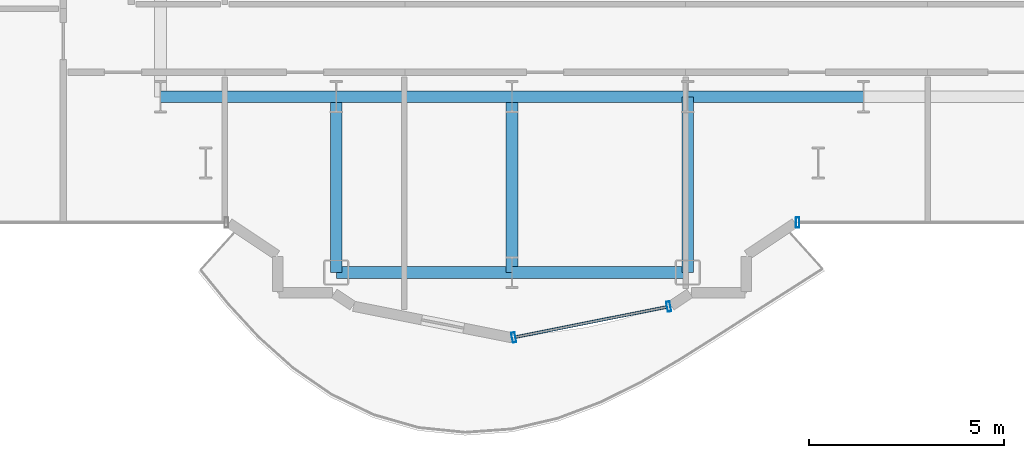
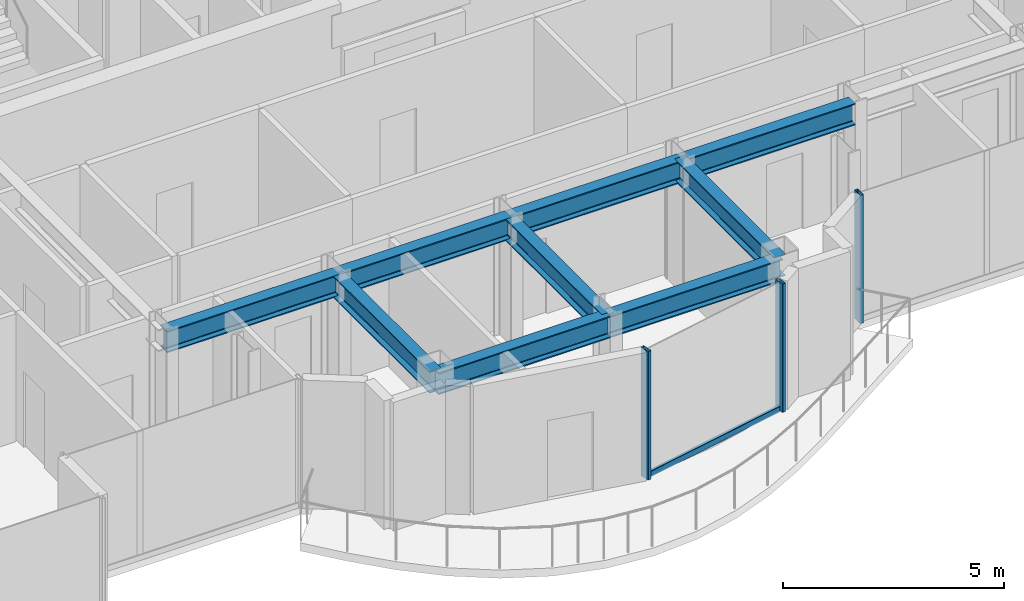
# One storey, part 3 of 21: 9 beams, 4 members, 2 elements without a shape of their own.
"""IFC4 building model written with IfcOpenShell, lengths in metres."""

from ifc_helpers import new_model, si_unit, direction, frame, origin, origin_2d, place, context, subcontext, project, spatial, hollow_rectangle, i_section, extrude, source, transform, mapped, material, layer, layer_set, material_profile, profile_set, type_object, element, aggregate, save


model = new_model("IFC4")

# Units and contexts
model_context = context("Model", 3, precision=1e-05, world=origin(), true_north=direction((0.0, 1.0)))
body_context = subcontext(model_context, "Body", "Model", "MODEL_VIEW")
ifc_project = project(units=[si_unit("LENGTHUNIT", "METRE"), si_unit("AREAUNIT", "SQUARE_METRE"), si_unit("VOLUMEUNIT", "CUBIC_METRE"), si_unit("PLANEANGLEUNIT", "RADIAN"), si_unit("MASSUNIT", "GRAM", prefix="KILO")], contexts=[model_context])

# Site, building, storey
site_placement = place(None, origin())
site = spatial("IfcSite", under=ifc_project, at=site_placement, CompositionType="ELEMENT")
building_placement = place(site_placement, origin())
building = spatial("IfcBuilding", under=site, at=building_placement, Name="Nefas-Gora Pilgrimage Tower", CompositionType="ELEMENT")
storey_placement = place(building_placement, frame((0.0, 0.0, 233.199951171875)))
storey = spatial("IfcBuildingStorey", under=building, at=storey_placement, Name="L58", CompositionType="ELEMENT", Elevation=233.199951171875)

# Beams
ifc_material_1 = material(Name="Steel S355", Category="steel")
ifc_material_profile_1 = material_profile(ifc_material_1, i_section(OverallWidth=0.300048828125, OverallDepth=0.60009765625, WebThickness=0.015380859375, FlangeThickness=0.030029296875, FilletRadius=0.027099609375, at=origin_2d()), Name="HEB 600")
ifc_profile_set_1 = profile_set([ifc_material_profile_1], Name="Steel S355")
beam_type = type_object("IfcBeamType", Name="BM-GIR-HEB600", PredefinedType="BEAM", material=ifc_profile_set_1)
shared_shape_1 = source(origin(), body_context, "Body", "SweptSolid", [
    extrude(i_section(OverallWidth=0.300048828125, OverallDepth=0.60009765625, WebThickness=0.015380859375, FlangeThickness=0.030029296875, FilletRadius=0.027099609375, at=origin_2d()), origin(), (0.0, 0.0, 1.0), 4.5),
])
for number, where, z_axis, x_axis, name in (
    (1, (-11.25, -18.0, 3.25), (1.0, 0.0, 0.0), (0.0, 1.0, 0.0), "L58 G-04 beam"),
    (2, (-6.75, -22.5, 3.25), (0.0, 1.0, 0.0), (-1.0, 0.0, 0.0), "L58 G-04 beam"),
    (3, (-6.75, -22.5, 3.25), (1.0, 0.0, 0.0), (0.0, 1.0, 0.0), "L58 G-04 beam"),
    (4, (-6.75, -18.0, 3.25), (1.0, 0.0, 0.0), (0.0, 1.0, 0.0), "L58 G-04 beam"),
    (5, (-2.25, -22.5, 3.25), (0.0, 1.0, 0.0), (-1.0, 0.0, 0.0), "L58 G-04 beam"),
    (6, (-2.25, -22.5, 3.25), (1.0, 0.0, 0.0), (0.0, 1.0, 0.0), "L58 G-04 beam"),
    (7, (-2.25, -18.0, 3.25), (1.0, 0.0, 0.0), (0.0, 1.0, 0.0), "L58 G-04 beam"),
    (8, (2.25, -22.5, 3.25), (0.0, 1.0, 0.0), (-1.0, 0.0, 0.0), "L58 G-04 beam"),
    (9, (2.25, -18.0, 3.25), (1.0, 0.0, 0.0), (0.0, 1.0, 0.0), "L58 G-04 beam"),
):
    element("IfcBeam", number, at=place(storey_placement, frame(where, z_axis=z_axis, x_axis=x_axis)), inside=storey, type_object=beam_type, Name=name, PredefinedType="BEAM", context=body_context, shape_type="MappedRepresentation", body=[
        mapped(shared_shape_1, transform((0.0, 0.0, 0.0), x_axis=(1.0, 0.0, 0.0), y_axis=(0.0, 1.0, 0.0), z_axis=(0.0, 0.0, 1.0), scale=1.0)),
    ])

# Curtain wall, member
ifc_material_2 = material(Name="Dark ceramic-fritted solar-control aluminium-glass curtain wall", Category="aluminium")
ifc_layer = layer(ifc_material_2, 0.219970703125)
ifc_layer_set = layer_set([ifc_layer], Name="Dark ceramic-fritted solar-control aluminium-glass curtain wall")
curtain_wall_type = type_object("IfcCurtainWallType", Name="CW-SYS-5", PredefinedType="NOTDEFINED", material=ifc_layer_set)
curtain_wall_1_placement = place(storey_placement, origin())
curtain_wall_1 = element("IfcCurtainWall", 10, at=curtain_wall_1_placement, inside=storey, type_object=curtain_wall_type, Name="L58 Unitised Curtain Wall CW5", PredefinedType="NOTDEFINED")
ifc_material_3 = material(Name="Anodised architectural aluminium", Category="aluminium")
ifc_material_profile_2 = material_profile(ifc_material_3, hollow_rectangle(XDim=0.090087890625, YDim=0.260009765625, WallThickness=0.006103515625, InnerFilletRadius=0.006103515625, OuterFilletRadius=0.011962890625, at=origin_2d()), Name="ALU MULLION 90x260")
ifc_profile_set_2 = profile_set([ifc_material_profile_2], Name="Anodised architectural aluminium")
member_type_1 = type_object("IfcMemberType", Name="CWM-MUL-5", PredefinedType="MULLION", material=ifc_profile_set_2)
shared_shape_2 = source(origin(), body_context, "Body", "SweptSolid", [
    extrude(hollow_rectangle(XDim=0.090087890625, YDim=0.260009765625, WallThickness=0.006103515625, InnerFilletRadius=0.006103515625, OuterFilletRadius=0.011962890625, at=origin_2d()), origin(), (0.0, 0.0, 1.0), 3.550048828125),
])
member_1_placement = place(storey_placement, frame((5.06298828125, -21.219970703125, 0.0), z_axis=(0.0, 0.0, 1.0), x_axis=(1.0, 0.0, 0.0)))
member_1 = element("IfcMember", 11, at=member_1_placement, type_object=member_type_1, Name="CW5 Mullion 1", PredefinedType="MULLION", context=body_context, shape_type="MappedRepresentation", body=[
    mapped(shared_shape_2, transform((0.0, 0.0, 0.0), x_axis=(1.0, 0.0, 0.0), y_axis=(0.0, 1.0, 0.0), z_axis=(0.0, 0.0, 1.0), scale=1.0)),
])
aggregate(curtain_wall_1, [member_1])

# Curtain wall, members
curtain_wall_2_placement = place(storey_placement, origin())
curtain_wall_2 = element("IfcCurtainWall", 12, at=curtain_wall_2_placement, inside=storey, type_object=curtain_wall_type, Name="L58 Unitised Curtain Wall CW5", PredefinedType="NOTDEFINED")
member_2_placement = place(storey_placement, frame((-2.205810546875, -24.16357421875, 0.0), z_axis=(0.0, 0.0, 1.0), x_axis=(0.980782896852, 0.195102304554, 0.0)))
member_2 = element("IfcMember", 13, at=member_2_placement, type_object=member_type_1, Name="CW5 Mullion 1", PredefinedType="MULLION", context=body_context, shape_type="MappedRepresentation", body=[
    mapped(shared_shape_2, transform((0.0, 0.0, 0.0), x_axis=(1.0, 0.0, 0.0), y_axis=(0.0, 1.0, 0.0), z_axis=(0.0, 0.0, 1.0), scale=1.0)),
])
member_3_placement = place(storey_placement, frame((1.76318359375, -23.3740234375, 0.0), z_axis=(0.0, 0.0, 1.0), x_axis=(0.980782896852, 0.195102304554, 0.0)))
member_3 = element("IfcMember", 14, at=member_3_placement, type_object=member_type_1, Name="CW5 Mullion 2", PredefinedType="MULLION", context=body_context, shape_type="MappedRepresentation", body=[
    mapped(shared_shape_2, transform((0.0, 0.0, 0.0), x_axis=(1.0, 0.0, 0.0), y_axis=(0.0, 1.0, 0.0), z_axis=(0.0, 0.0, 1.0), scale=1.0)),
])
ifc_material_profile_3 = material_profile(ifc_material_3, hollow_rectangle(XDim=0.080078125, YDim=0.159912109375, WallThickness=0.00439453125, InnerFilletRadius=0.00439453125, OuterFilletRadius=0.009033203125, at=origin_2d()), Name="ALU TRANSOM 80x160")
ifc_profile_set_3 = profile_set([ifc_material_profile_3], Name="Anodised architectural aluminium")
member_type_2 = type_object("IfcMemberType", Name="CWM-TRN-5", PredefinedType="USERDEFINED", material=ifc_profile_set_3)
shared_shape_3 = source(origin(), body_context, "Body", "SweptSolid", [
    extrude(hollow_rectangle(XDim=0.080078125, YDim=0.159912109375, WallThickness=0.00439453125, InnerFilletRadius=0.00439453125, OuterFilletRadius=0.009033203125, at=origin_2d()), origin(), (0.0, 0.0, 1.0), 3.95654296875),
])
member_4_placement = place(storey_placement, frame((-2.16162109375, -24.15478515625, 0.050048828125), z_axis=(0.980781880918, 0.195107411605, 0.0), x_axis=(-0.195107411605, 0.980781880918, 0.0)))
member_4 = element("IfcMember", 15, at=member_4_placement, type_object=member_type_2, Name="CW5 Spandrel Transom", ObjectType="TRANSOM", PredefinedType="USERDEFINED", context=body_context, shape_type="MappedRepresentation", body=[
    mapped(shared_shape_3, transform((0.0, 0.0, 0.0), x_axis=(1.0, 0.0, 0.0), y_axis=(0.0, 1.0, 0.0), z_axis=(0.0, 0.0, 1.0), scale=1.0)),
])
aggregate(curtain_wall_2, [member_2, member_3, member_4])

save(model, "model.ifc")
